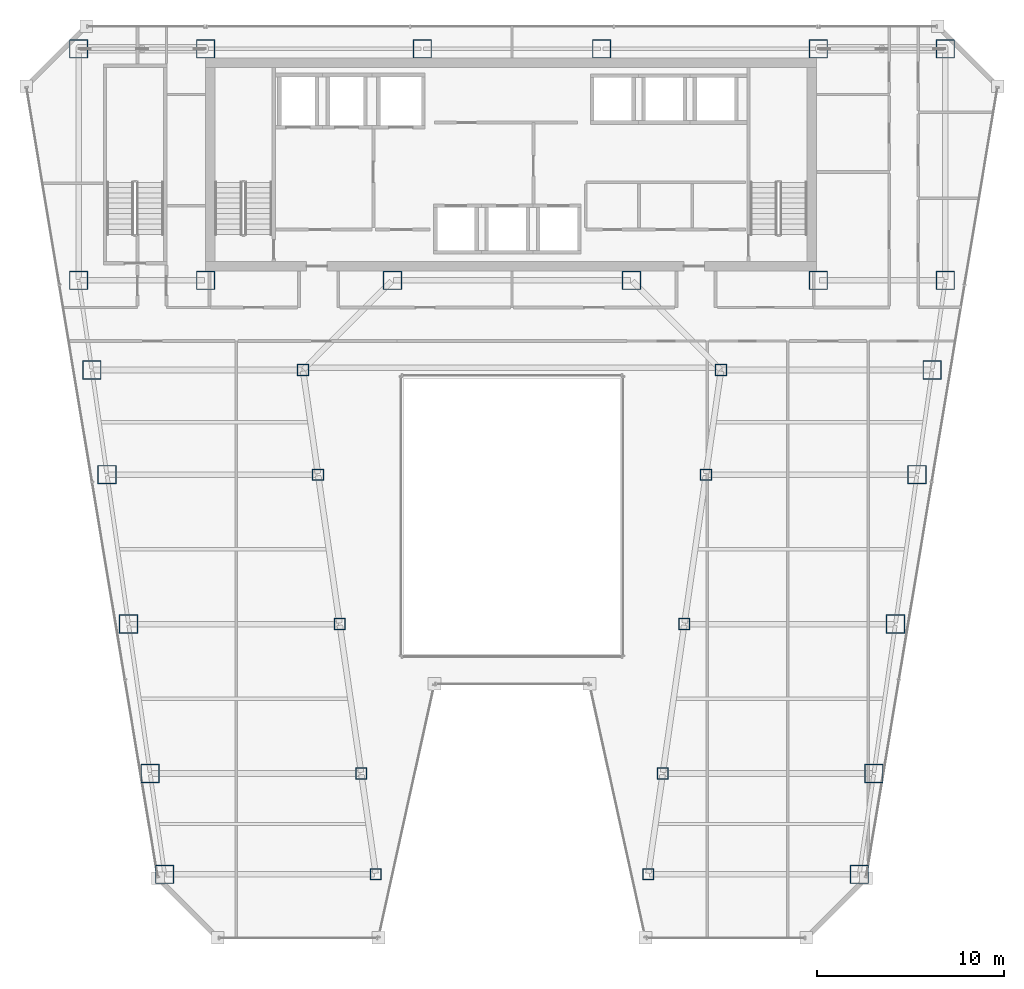
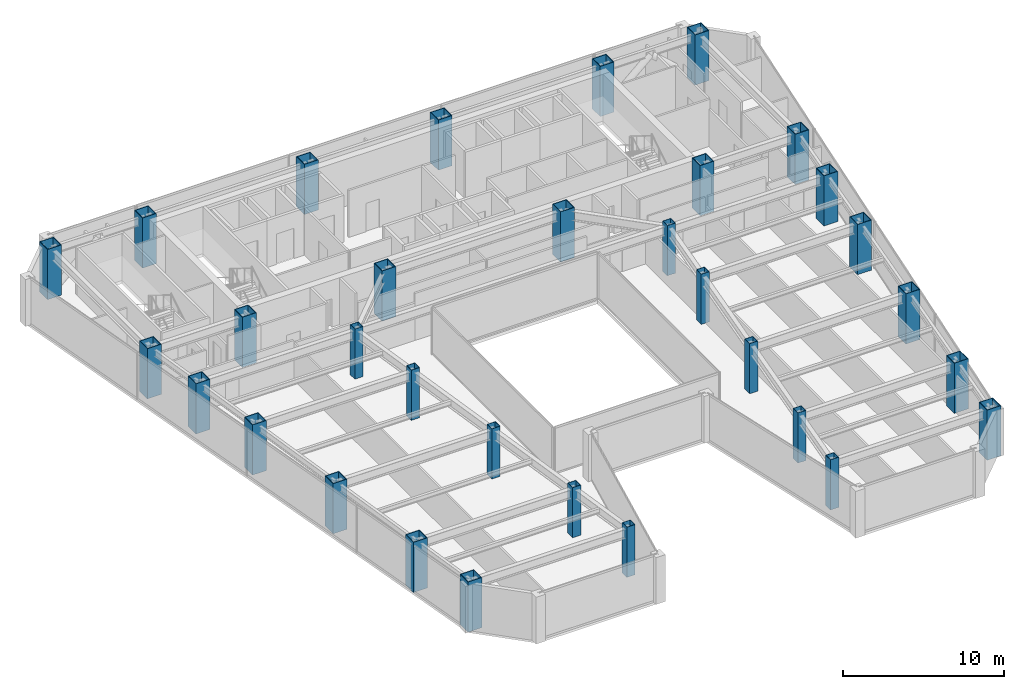
# One storey, part 1 of 37: 32 columns.
"""IFC4 building model written with IfcOpenShell, lengths in metres."""

from ifc_helpers import new_model, si_unit, direction, frame, origin, origin_2d, place, context, subcontext, project, spatial, hollow_rectangle, extrude, material, material_profile, profile_set, type_object, element, save


model = new_model("IFC4")

# Units and contexts
model_context = context("Model", 3, precision=1e-05, world=origin(), true_north=direction((0.0, 1.0)))
body_context = subcontext(model_context, "Body", "Model", "MODEL_VIEW")
ifc_project = project(units=[si_unit("LENGTHUNIT", "METRE"), si_unit("AREAUNIT", "SQUARE_METRE"), si_unit("VOLUMEUNIT", "CUBIC_METRE"), si_unit("PLANEANGLEUNIT", "RADIAN"), si_unit("MASSUNIT", "GRAM", prefix="KILO")], contexts=[model_context])

# Site, building, storey
site_placement = place(None, origin())
site = spatial("IfcSite", under=ifc_project, at=site_placement, CompositionType="ELEMENT")
building_placement = place(site_placement, origin())
building = spatial("IfcBuilding", under=site, at=building_placement, Name="Saevonmaru Cultural Tower", CompositionType="ELEMENT")
storey_placement = place(building_placement, frame((0.0, 0.0, 144.800048828125)))
storey = spatial("IfcBuildingStorey", under=building, at=storey_placement, Name="L31", CompositionType="ELEMENT", Elevation=144.800048828125)

# Columns
ifc_material_1 = material(Name="Steel SM420", Category="steel")
ifc_material_profile_1 = material_profile(ifc_material_1, hollow_rectangle(XDim=1.0, YDim=1.0, WallThickness=0.044921875, at=origin_2d()), Name="BOX-1000x1000x45")
ifc_profile_set_1 = profile_set([ifc_material_profile_1], Name="Steel SM420")
column_type_1 = type_object("IfcColumnType", Name="COL-BOX-1000", PredefinedType="COLUMN", material=ifc_profile_set_1)
for number, where, z_axis, x_axis, name in (
    (1, (6.800048828125, 54.800048828125, 0.0), (0.0, 0.0, 1.0), (1.0, 0.0, 0.0), "L31 Column TC-N1N"),
    (2, (13.60009765625, 54.800048828125, 0.0), (0.0, 0.0, 1.0), (1.0, 0.0, 0.0), "L31 Column TC-N2N"),
    (3, (25.199951171875, 54.800048828125, 0.0), (0.0, 0.0, 1.0), (1.0, 0.0, 0.0), "L31 Column TC-N3N"),
    (4, (34.800048828125, 54.800048828125, 0.0), (0.0, 0.0, 1.0), (1.0, 0.0, 0.0), "L31 Column TC-N4N"),
    (5, (46.39990234375, 54.800048828125, 0.0), (0.0, 0.0, 1.0), (1.0, 0.0, 0.0), "L31 Column TC-N5N"),
    (6, (53.199951171875, 54.800048828125, 0.0), (0.0, 0.0, 1.0), (1.0, 0.0, 0.0), "L31 Column TC-N6N"),
    (7, (6.800048828125, 42.39990234375, 0.0), (0.0, 0.0, 1.0), (1.0, 0.0, 0.0), "L31 Column TC-S1C"),
    (8, (13.60009765625, 42.39990234375, 0.0), (0.0, 0.0, 1.0), (1.0, 0.0, 0.0), "L31 Column TC-S2C"),
    (9, (23.60009765625, 42.39990234375, 0.0), (0.0, 0.0, 1.0), (1.0, 0.0, 0.0), "L31 Column TC-S3C"),
    (10, (36.39990234375, 42.39990234375, 0.0), (0.0, 0.0, 1.0), (1.0, 0.0, 0.0), "L31 Column TC-S4C"),
    (11, (46.39990234375, 42.39990234375, 0.0), (0.0, 0.0, 1.0), (1.0, 0.0, 0.0), "L31 Column TC-S5C"),
    (12, (53.199951171875, 42.39990234375, 0.0), (0.0, 0.0, 1.0), (1.0, 0.0, 0.0), "L31 Column TC-S6C"),
    (13, (11.407958984375, 10.60009765625, 0.0), (0.0, 0.0, 1.0), (1.0, 0.0, 0.0), "L31 Column TC-WO-Y106"),
    (14, (48.592041015625, 10.60009765625, 0.0), (0.0, 0.0, 1.0), (1.0, 0.0, 0.0), "L31 Column TC-EO-Y106"),
    (15, (10.6279296875, 16.0, 0.0), (0.0, 0.0, 1.0), (1.0, 0.0, 0.0), "L31 Column TC-WO-Y160"),
    (16, (49.3720703125, 16.0, 0.0), (0.0, 0.0, 1.0), (1.0, 0.0, 0.0), "L31 Column TC-EO-Y160"),
    (17, (9.471923828125, 24.0, 0.0), (0.0, 0.0, 1.0), (1.0, 0.0, 0.0), "L31 Column TC-WO-Y240"),
    (18, (50.528076171875, 24.0, 0.0), (0.0, 0.0, 1.0), (1.0, 0.0, 0.0), "L31 Column TC-EO-Y240"),
    (19, (8.31689453125, 32.0, 0.0), (0.0, 0.0, 1.0), (1.0, 0.0, 0.0), "L31 Column TC-WO-Y320"),
    (20, (51.68310546875, 32.0, 0.0), (0.0, 0.0, 1.0), (1.0, 0.0, 0.0), "L31 Column TC-EO-Y320"),
    (21, (7.508056640625, 37.60009765625, 0.0), (0.0, 0.0, 1.0), (1.0, 0.0, 0.0), "L31 Column TC-WO-Y376"),
    (22, (52.491943359375, 37.60009765625, 0.0), (0.0, 0.0, 1.0), (1.0, 0.0, 0.0), "L31 Column TC-EO-Y376"),
):
    element("IfcColumn", number, at=place(storey_placement, frame(where, z_axis=z_axis, x_axis=x_axis)), inside=storey, type_object=column_type_1, Name=name, PredefinedType="COLUMN", context=body_context, shape_type="SweptSolid", body=[
        extrude(hollow_rectangle(XDim=1.0, YDim=1.0, WallThickness=0.044921875, at=origin_2d()), origin(), (0.0, 0.0, 1.0), 3.800048828125),
    ])
ifc_material_2 = material(Name="Steel SM355", Category="steel")
ifc_material_profile_2 = material_profile(ifc_material_2, hollow_rectangle(XDim=0.60009765625, YDim=0.60009765625, WallThickness=0.028076171875, at=origin_2d()), Name="BOX-600x600x28")
ifc_profile_set_2 = profile_set([ifc_material_profile_2], Name="Steel SM355")
column_type_2 = type_object("IfcColumnType", Name="COL-BOX-600", PredefinedType="COLUMN", material=ifc_profile_set_2)
for number, where, z_axis, x_axis, name in (
    (23, (22.7080078125, 10.60009765625, 0.0), (0.0, 0.0, 1.0), (1.0, 0.0, 0.0), "L31 Column TC-WI-Y106"),
    (24, (37.2919921875, 10.60009765625, 0.0), (0.0, 0.0, 1.0), (1.0, 0.0, 0.0), "L31 Column TC-EI-Y106"),
    (25, (21.927978515625, 16.0, 0.0), (0.0, 0.0, 1.0), (1.0, 0.0, 0.0), "L31 Column TC-WI-Y160"),
    (26, (38.072021484375, 16.0, 0.0), (0.0, 0.0, 1.0), (1.0, 0.0, 0.0), "L31 Column TC-EI-Y160"),
    (27, (20.77197265625, 24.0, 0.0), (0.0, 0.0, 1.0), (1.0, 0.0, 0.0), "L31 Column TC-WI-Y240"),
    (28, (39.22802734375, 24.0, 0.0), (0.0, 0.0, 1.0), (1.0, 0.0, 0.0), "L31 Column TC-EI-Y240"),
    (29, (19.616943359375, 32.0, 0.0), (0.0, 0.0, 1.0), (1.0, 0.0, 0.0), "L31 Column TC-WI-Y320"),
    (30, (40.383056640625, 32.0, 0.0), (0.0, 0.0, 1.0), (1.0, 0.0, 0.0), "L31 Column TC-EI-Y320"),
    (31, (18.80810546875, 37.60009765625, 0.0), (0.0, 0.0, 1.0), (1.0, 0.0, 0.0), "L31 Column TC-WI-Y376"),
    (32, (41.19189453125, 37.60009765625, 0.0), (0.0, 0.0, 1.0), (1.0, 0.0, 0.0), "L31 Column TC-EI-Y376"),
):
    element("IfcColumn", number, at=place(storey_placement, frame(where, z_axis=z_axis, x_axis=x_axis)), inside=storey, type_object=column_type_2, Name=name, PredefinedType="COLUMN", context=body_context, shape_type="SweptSolid", body=[
        extrude(hollow_rectangle(XDim=0.60009765625, YDim=0.60009765625, WallThickness=0.028076171875, at=origin_2d()), origin(), (0.0, 0.0, 1.0), 3.800048828125),
    ])

save(model, "model.ifc")
